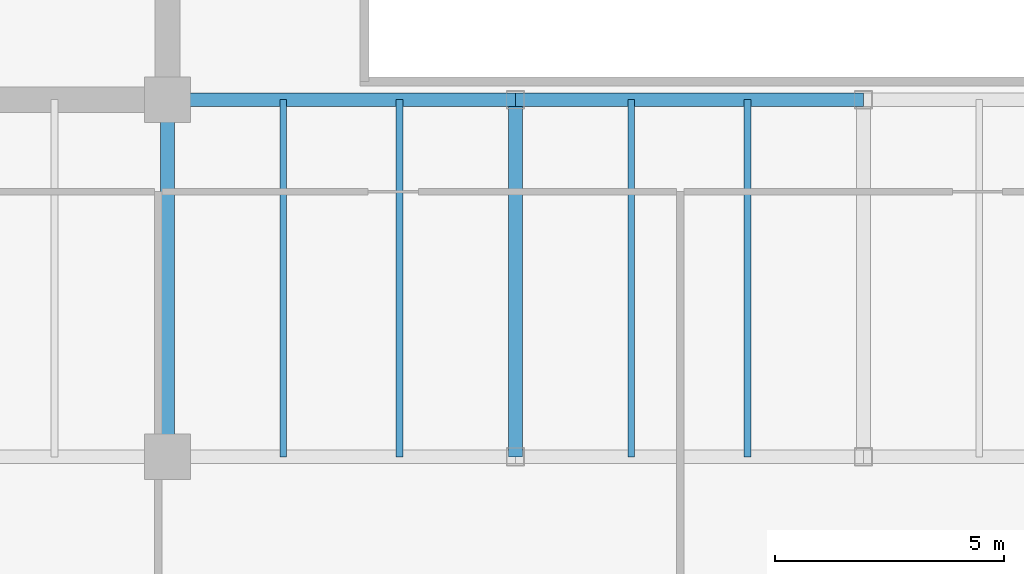
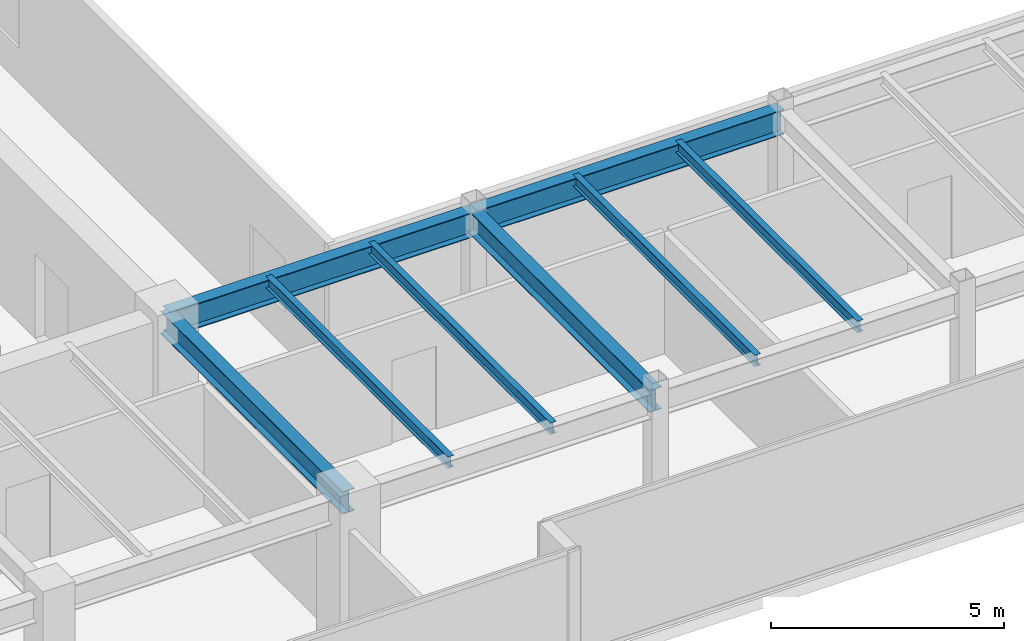
# One storey, part 8 of 33: 8 beams.
"""IFC4 building model written with IfcOpenShell, lengths in metres."""

from ifc_helpers import new_model, si_unit, direction, frame, origin, origin_2d, place, context, subcontext, project, spatial, i_section, extrude, source, transform, mapped, material, material_profile, profile_set, type_object, type_shapes, element, save


model = new_model("IFC4")

# Units and contexts
model_context = context("Model", 3, precision=1e-05, world=origin(), true_north=direction((0.0, 1.0)))
body_context = subcontext(model_context, "Body", "Model", "MODEL_VIEW")
ifc_project = project(units=[si_unit("LENGTHUNIT", "METRE"), si_unit("AREAUNIT", "SQUARE_METRE"), si_unit("VOLUMEUNIT", "CUBIC_METRE"), si_unit("PLANEANGLEUNIT", "RADIAN"), si_unit("MASSUNIT", "GRAM", prefix="KILO")], contexts=[model_context])

# Site, building, storey
site_placement = place(None, origin())
site = spatial("IfcSite", under=ifc_project, at=site_placement, CompositionType="ELEMENT")
building_placement = place(site_placement, origin())
building = spatial("IfcBuilding", under=site, at=building_placement, Name="Haelvirn Gate Laboratories", CompositionType="ELEMENT")
storey_placement = place(building_placement, frame((0.0, 0.0, 209.60009765625)))
storey = spatial("IfcBuildingStorey", under=building, at=storey_placement, Name="L50", CompositionType="ELEMENT", Elevation=209.60009765625)

# Beams
ifc_material = material(Name="Steel SM355", Category="steel")
ifc_material_profile_1 = material_profile(ifc_material, i_section(OverallWidth=0.14990234375, OverallDepth=0.300048828125, WebThickness=0.006591796875, FlangeThickness=0.009033203125, at=origin_2d()), Name="H-300x150x6.5x9")
ifc_profile_set_1 = profile_set([ifc_material_profile_1], Name="Steel SM355")
beam_type_1 = type_object("IfcBeamType", Name="BM-J-300", PredefinedType="JOIST", material=ifc_profile_set_1)
shared_shape_1 = source(origin(), body_context, "Body", "SweptSolid", [
    extrude(i_section(OverallWidth=0.14990234375, OverallDepth=0.300048828125, WebThickness=0.006591796875, FlangeThickness=0.009033203125, at=origin_2d()), origin(), (0.0, 0.0, 1.0), 7.800048828125),
])
type_shapes(beam_type_1, [shared_shape_1])
for number, where, z_axis, x_axis, name in (
    (1, (24.72998046875, 7.0, 3.64990234375), (0.0, 1.0, 0.0), (-1.0, 0.0, 0.0), "L50 Composite Lab Joist South X24.73"),
    (2, (27.27001953125, 7.0, 3.64990234375), (0.0, 1.0, 0.0), (-1.0, 0.0, 0.0), "L50 Composite Lab Joist South X27.27"),
    (3, (32.330078125, 7.0, 3.64990234375), (0.0, 1.0, 0.0), (-1.0, 0.0, 0.0), "L50 Composite Lab Joist South X32.33"),
    (4, (34.8701171875, 7.0, 3.64990234375), (0.0, 1.0, 0.0), (-1.0, 0.0, 0.0), "L50 Composite Lab Joist South X34.87"),
):
    element("IfcBeam", number, at=place(storey_placement, frame(where, z_axis=z_axis, x_axis=x_axis)), inside=storey, type_object=beam_type_1, Name=name, PredefinedType="JOIST", context=body_context, shape_type="MappedRepresentation", body=[
        mapped(shared_shape_1, transform((0.0, 0.0, 0.0), scale=1.0)),
    ])
ifc_material_profile_2 = material_profile(ifc_material, i_section(OverallWidth=0.300048828125, OverallDepth=0.587890625, WebThickness=0.011962890625, FlangeThickness=0.02001953125, at=origin_2d()), Name="H-588x300x12x20")
ifc_profile_set_2 = profile_set([ifc_material_profile_2], Name="Steel SM355")
beam_type_2 = type_object("IfcBeamType", Name="BM-G-588", PredefinedType="BEAM", material=ifc_profile_set_2)
shared_shape_2 = source(origin(), body_context, "Body", "SweptSolid", [
    extrude(i_section(OverallWidth=0.300048828125, OverallDepth=0.587890625, WebThickness=0.011962890625, FlangeThickness=0.02001953125, at=origin_2d()), origin(), (0.0, 0.0, 1.0), 7.800048828125),
])
type_shapes(beam_type_2, [shared_shape_2])
for number, where, z_axis, x_axis, name in (
    (5, (22.199951171875, 7.0, 3.505859375), (0.0, 1.0, 0.0), (-1.0, 0.0, 0.0), "L50 Frame Girder X22.2 (7.0-14.8)"),
    (6, (29.800048828125, 7.0, 3.505859375), (0.0, 1.0, 0.0), (-1.0, 0.0, 0.0), "L50 Frame Girder X29.8 (7.0-14.8)"),
):
    element("IfcBeam", number, at=place(storey_placement, frame(where, z_axis=z_axis, x_axis=x_axis)), inside=storey, type_object=beam_type_2, Name=name, PredefinedType="BEAM", context=body_context, shape_type="MappedRepresentation", body=[
        mapped(shared_shape_2, transform((0.0, 0.0, 0.0), scale=1.0)),
    ])
ifc_material_profile_3 = material_profile(ifc_material, i_section(OverallWidth=0.300048828125, OverallDepth=0.64990234375, WebThickness=0.012939453125, FlangeThickness=0.02197265625, at=origin_2d()), Name="H-650x300x13x22")
ifc_profile_set_3 = profile_set([ifc_material_profile_3], Name="Steel SM355")
beam_type_3 = type_object("IfcBeamType", Name="BM-G-650", PredefinedType="BEAM", material=ifc_profile_set_3)
shared_shape_3 = source(origin(), body_context, "Body", "SweptSolid", [
    extrude(i_section(OverallWidth=0.300048828125, OverallDepth=0.64990234375, WebThickness=0.012939453125, FlangeThickness=0.02197265625, at=origin_2d()), origin(), (0.0, 0.0, 1.0), 7.60009765625),
])
beam_1_placement = place(storey_placement, frame((22.199951171875, 14.800048828125, 3.474853515625), z_axis=(1.0, 0.0, 0.0), x_axis=(0.0, 1.0, 0.0)))
element("IfcBeam", 7, at=beam_1_placement, inside=storey, type_object=beam_type_3, Name="L50 Primary Girder Y14.8 (22.2-29.8)", PredefinedType="BEAM", context=body_context, shape_type="MappedRepresentation", body=[
    mapped(shared_shape_3, transform((0.0, 0.0, 0.0), scale=1.0)),
])
shared_shape_4 = source(origin(), body_context, "Body", "SweptSolid", [
    extrude(i_section(OverallWidth=0.300048828125, OverallDepth=0.64990234375, WebThickness=0.012939453125, FlangeThickness=0.02197265625, at=origin_2d()), origin(), (0.0, 0.0, 1.0), 7.599853515625),
])
type_shapes(beam_type_3, [shared_shape_3, shared_shape_4])
beam_2_placement = place(storey_placement, frame((29.800048828125, 14.800048828125, 3.474853515625), z_axis=(1.0, 0.0, 0.0), x_axis=(0.0, 1.0, 0.0)))
element("IfcBeam", 8, at=beam_2_placement, inside=storey, type_object=beam_type_3, Name="L50 Primary Girder Y14.8 (29.8-37.4)", PredefinedType="BEAM", context=body_context, shape_type="MappedRepresentation", body=[
    mapped(shared_shape_4, transform((0.0, 0.0, 0.0), scale=1.0)),
])

save(model, "model.ifc")
